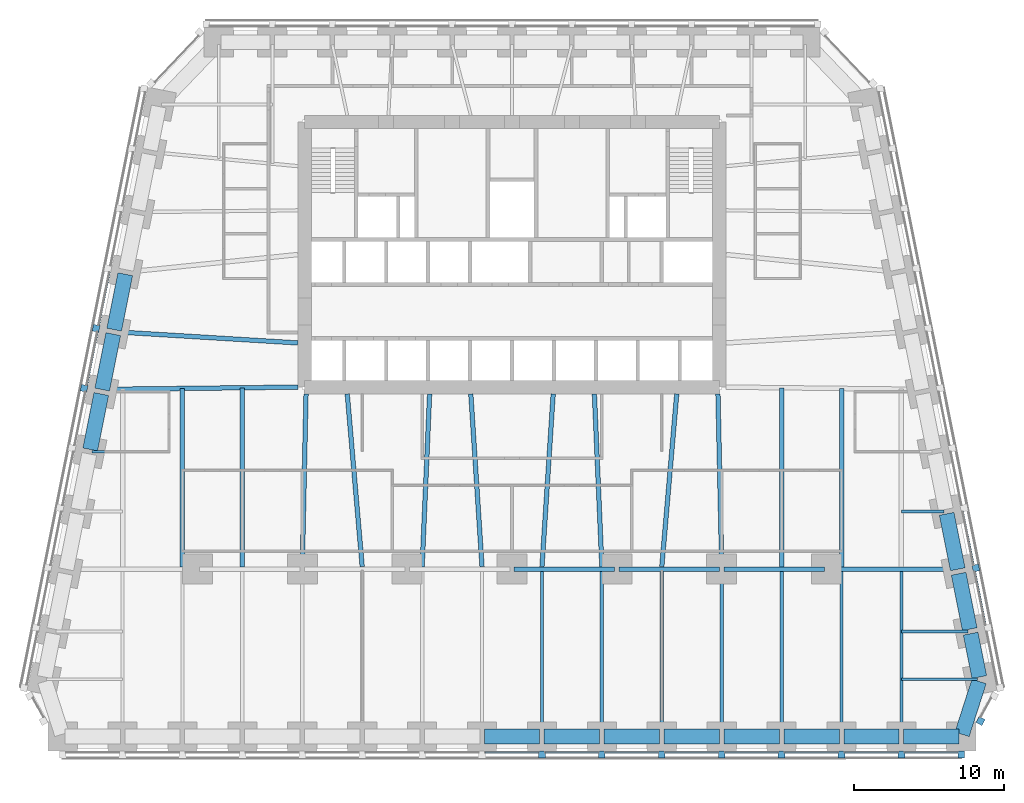
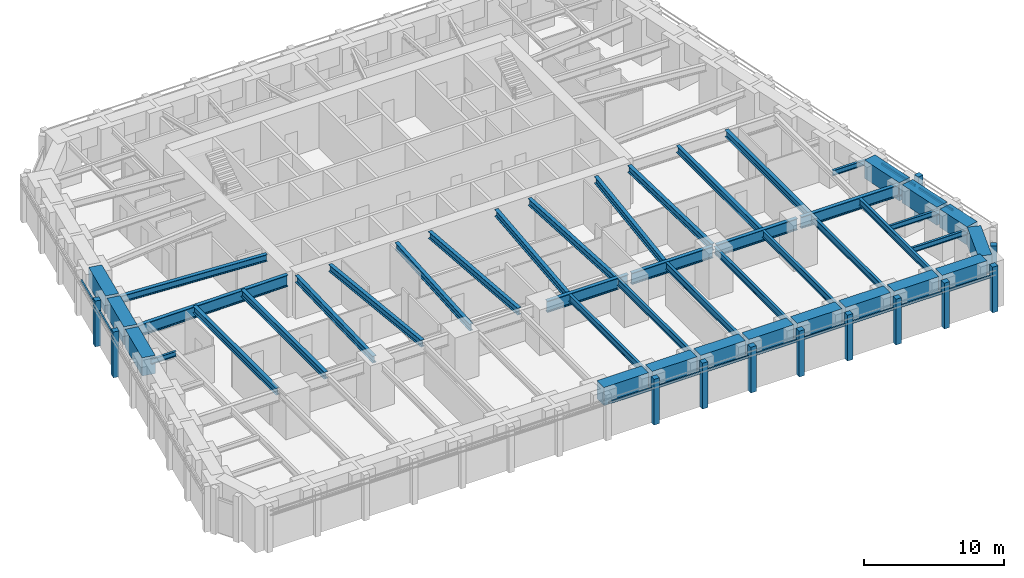
# One storey, part 2 of 10: 44 beams, 24 members, 4 elements without a shape of their own.
"""IFC4 building model written with IfcOpenShell, lengths in metres."""

from ifc_helpers import new_model, si_unit, direction, frame, origin, origin_2d, place, context, subcontext, project, spatial, rectangle, i_section, extrude, material, material_profile, profile_set, type_object, element, aggregate, save


model = new_model("IFC4")

# Units and contexts
model_context = context("Model", 3, precision=1e-05, world=origin(), true_north=direction((0.0, 1.0)))
body_context = subcontext(model_context, "Body", "Model", "MODEL_VIEW")
ifc_project = project(units=[si_unit("LENGTHUNIT", "METRE"), si_unit("AREAUNIT", "SQUARE_METRE"), si_unit("VOLUMEUNIT", "CUBIC_METRE"), si_unit("PLANEANGLEUNIT", "RADIAN"), si_unit("MASSUNIT", "GRAM", prefix="KILO")], contexts=[model_context])

# Site, building, storey
site_placement = place(None, origin())
site = spatial("IfcSite", under=ifc_project, at=site_placement, CompositionType="ELEMENT")
building_placement = place(site_placement, origin())
building = spatial("IfcBuilding", under=site, at=building_placement, Name="Isbrekke Arena Tower", CompositionType="ELEMENT")
storey_placement = place(building_placement, frame((0.0, 0.0, 72.0)))
storey = spatial("IfcBuildingStorey", under=building, at=storey_placement, Name="L15", CompositionType="ELEMENT", Elevation=72.0)

# Beams
ifc_material_1 = material(Name="Steel S355", Category="steel")
ifc_material_profile_1 = material_profile(ifc_material_1, i_section(OverallWidth=0.219970703125, OverallDepth=0.60009765625, WebThickness=0.011962890625, FlangeThickness=0.01904296875, FilletRadius=0.02392578125, at=origin_2d()), Name="IPE 600")
ifc_profile_set_1 = profile_set([ifc_material_profile_1], Name="Steel S355")
beam_type_1 = type_object("IfcBeamType", Name="B1 IPE 600", PredefinedType="BEAM", material=ifc_profile_set_1)
for number, where, z_axis, x_axis, name in (
    (1, (2.0, -17.02490234375, 3.550048828125), (0.0, 1.0, 0.0), (-1.0, 0.0, 0.0), "B1 beam S-S09 L15"),
    (2, (6.0, -17.02490234375, 3.550048828125), (0.0, 1.0, 0.0), (-1.0, 0.0, 0.0), "B1 beam S-S10 L15"),
    (3, (10.0, -17.02490234375, 3.550048828125), (0.0, 1.0, 0.0), (-1.0, 0.0, 0.0), "B1 beam S-S11 L15"),
):
    element("IfcBeam", number, at=place(storey_placement, frame(where, z_axis=z_axis, x_axis=x_axis)), inside=storey, type_object=beam_type_1, Name=name, PredefinedType="BEAM", context=body_context, shape_type="SweptSolid", body=[
        extrude(i_section(OverallWidth=0.219970703125, OverallDepth=0.60009765625, WebThickness=0.011962890625, FlangeThickness=0.01904296875, FilletRadius=0.02392578125, at=origin_2d()), origin(), (0.0, 0.0, 1.0), 10.8740234375),
    ])
beam_1_placement = place(storey_placement, frame((14.0, -17.02490234375, 3.550048828125), z_axis=(0.0, 1.0, 0.0), x_axis=(-1.0, 0.0, 0.0)))
element("IfcBeam", 4, at=beam_1_placement, inside=storey, type_object=beam_type_1, Name="B1 beam S-S12 L15", PredefinedType="BEAM", context=body_context, shape_type="SweptSolid", body=[
    extrude(i_section(OverallWidth=0.219970703125, OverallDepth=0.60009765625, WebThickness=0.011962890625, FlangeThickness=0.01904296875, FilletRadius=0.02392578125, at=origin_2d()), origin(), (0.0, 0.0, 1.0), 10.875),
])
for number, where, z_axis, x_axis, name in (
    (5, (18.0, -17.02490234375, 3.550048828125), (0.0, 1.0, 0.0), (-1.0, 0.0, 0.0), "B1 beam S-S13 L15"),
    (6, (22.0, -17.02490234375, 3.550048828125), (0.0, 1.0, 0.0), (-1.0, 0.0, 0.0), "B1 beam S-S14 L15"),
    (7, (26.0, -17.02490234375, 3.550048828125), (0.0, 1.0, 0.0), (-1.0, 0.0, 0.0), "B1 beam S-S15 L15"),
):
    element("IfcBeam", number, at=place(storey_placement, frame(where, z_axis=z_axis, x_axis=x_axis)), inside=storey, type_object=beam_type_1, Name=name, PredefinedType="BEAM", context=body_context, shape_type="SweptSolid", body=[
        extrude(i_section(OverallWidth=0.219970703125, OverallDepth=0.60009765625, WebThickness=0.011962890625, FlangeThickness=0.01904296875, FilletRadius=0.02392578125, at=origin_2d()), origin(), (0.0, 0.0, 1.0), 10.8740234375),
    ])
ifc_material_2 = material(Name="Steel S355", Category="steel")
ifc_material_profile_2 = material_profile(ifc_material_2, i_section(OverallWidth=0.18994140625, OverallDepth=0.449951171875, WebThickness=0.009521484375, FlangeThickness=0.0146484375, FilletRadius=0.02099609375, at=origin_2d()), Name="IPE 450")
ifc_profile_set_2 = profile_set([ifc_material_profile_2], Name="Steel S355")
beam_type_2 = type_object("IfcBeamType", Name="B2 IPE 450", PredefinedType="BEAM", material=ifc_profile_set_2)
beam_2_placement = place(storey_placement, frame((31.079345703125, -13.352783203125, 3.625), z_axis=(-1.0, 0.0, 0.0), x_axis=(0.0, -1.0, 0.0)))
element("IfcBeam", 8, at=beam_2_placement, inside=storey, type_object=beam_type_2, Name="B2 beam E-E01 L15", PredefinedType="BEAM", context=body_context, shape_type="SweptSolid", body=[
    extrude(i_section(OverallWidth=0.18994140625, OverallDepth=0.449951171875, WebThickness=0.009521484375, FlangeThickness=0.0146484375, FilletRadius=0.02099609375, at=origin_2d()), origin(), (0.0, 0.0, 1.0), 5.079345703125),
])
beam_3_placement = place(storey_placement, frame((30.44091796875, -10.161865234375, 3.625), z_axis=(-1.0, 0.0, 0.0), x_axis=(0.0, -1.0, 0.0)))
element("IfcBeam", 9, at=beam_3_placement, inside=storey, type_object=beam_type_2, Name="B2 beam E-E02 L15", PredefinedType="BEAM", context=body_context, shape_type="SweptSolid", body=[
    extrude(i_section(OverallWidth=0.18994140625, OverallDepth=0.449951171875, WebThickness=0.009521484375, FlangeThickness=0.0146484375, FilletRadius=0.02099609375, at=origin_2d()), origin(), (0.0, 0.0, 1.0), 4.44091796875),
])
beam_4_placement = place(storey_placement, frame((28.841064453125, -2.161865234375, 3.625), z_axis=(-1.0, 0.0, 0.0), x_axis=(0.0, -1.0, 0.0)))
element("IfcBeam", 10, at=beam_4_placement, inside=storey, type_object=beam_type_2, Name="B2 beam E-E04 L15", PredefinedType="BEAM", context=body_context, shape_type="SweptSolid", body=[
    extrude(i_section(OverallWidth=0.18994140625, OverallDepth=0.449951171875, WebThickness=0.009521484375, FlangeThickness=0.0146484375, FilletRadius=0.02099609375, at=origin_2d()), origin(), (0.0, 0.0, 1.0), 2.841064453125),
])
beam_5_placement = place(storey_placement, frame((-28.041015625, 1.838134765625, 3.625), z_axis=(1.0, 0.0, 0.0), x_axis=(0.0, 1.0, 0.0)))
element("IfcBeam", 11, at=beam_5_placement, inside=storey, type_object=beam_type_2, Name="B2 beam E-W07 L15", PredefinedType="BEAM", context=body_context, shape_type="SweptSolid", body=[
    extrude(i_section(OverallWidth=0.18994140625, OverallDepth=0.449951171875, WebThickness=0.009521484375, FlangeThickness=0.0146484375, FilletRadius=0.02099609375, at=origin_2d()), origin(), (0.0, 0.0, 1.0), 2.041015625),
])
ifc_material_3 = material(Name="Steel S355", Category="steel")
ifc_material_profile_3 = material_profile(ifc_material_3, i_section(OverallWidth=0.300048828125, OverallDepth=0.60009765625, WebThickness=0.015380859375, FlangeThickness=0.030029296875, FilletRadius=0.027099609375, at=origin_2d()), Name="HEB 600")
ifc_profile_set_3 = profile_set([ifc_material_profile_3], Name="Steel S355")
beam_type_3 = type_object("IfcBeamType", Name="B7 HEB 600", PredefinedType="BEAM", material=ifc_profile_set_3)
beam_6_placement = place(storey_placement, frame((-22.0, -5.84912109375, 3.550048828125), z_axis=(0.0, 1.0, 0.0), x_axis=(-1.0, 0.0, 0.0)))
element("IfcBeam", 12, at=beam_6_placement, inside=storey, type_object=beam_type_3, Name="B7 beam C-M02 L15", PredefinedType="BEAM", context=body_context, shape_type="SweptSolid", body=[
    extrude(i_section(OverallWidth=0.300048828125, OverallDepth=0.60009765625, WebThickness=0.015380859375, FlangeThickness=0.030029296875, FilletRadius=0.027099609375, at=origin_2d()), origin(), (0.0, 0.0, 1.0), 11.910888671875),
])
beam_7_placement = place(storey_placement, frame((-18.0, -5.84912109375, 3.550048828125), z_axis=(0.0, 1.0, 0.0), x_axis=(-1.0, 0.0, 0.0)))
element("IfcBeam", 13, at=beam_7_placement, inside=storey, type_object=beam_type_3, Name="B7 beam C-M03 L15", PredefinedType="BEAM", context=body_context, shape_type="SweptSolid", body=[
    extrude(i_section(OverallWidth=0.300048828125, OverallDepth=0.60009765625, WebThickness=0.015380859375, FlangeThickness=0.030029296875, FilletRadius=0.027099609375, at=origin_2d()), origin(), (0.0, 0.0, 1.0), 11.956787109375),
])
beam_8_placement = place(storey_placement, frame((-14.0, -5.8466796875, 3.550048828125), z_axis=(0.021646264273, 0.999765692171, 0.0), x_axis=(-0.999765692171, 0.021646264273, 0.0)))
element("IfcBeam", 14, at=beam_8_placement, inside=storey, type_object=beam_type_3, Name="B7 beam C-M04 L15", PredefinedType="BEAM", context=body_context, shape_type="SweptSolid", body=[
    extrude(i_section(OverallWidth=0.300048828125, OverallDepth=0.60009765625, WebThickness=0.015380859375, FlangeThickness=0.030029296875, FilletRadius=0.027099609375, at=origin_2d()), origin(), (0.0, 0.0, 1.0), 11.54931640625),
])
beam_9_placement = place(storey_placement, frame((-10.001220703125, -5.836181640625, 3.550048828125), z_axis=(-0.086255671377, 0.996273034442, 0.0), x_axis=(-0.996273034442, -0.086255671377, 0.0)))
element("IfcBeam", 15, at=beam_9_placement, inside=storey, type_object=beam_type_3, Name="B7 beam C-M05 L15", PredefinedType="BEAM", context=body_context, shape_type="SweptSolid", body=[
    extrude(i_section(OverallWidth=0.300048828125, OverallDepth=0.60009765625, WebThickness=0.015380859375, FlangeThickness=0.030029296875, FilletRadius=0.027099609375, at=origin_2d()), origin(), (0.0, 0.0, 1.0), 11.579345703125),
])
beam_10_placement = place(storey_placement, frame((-5.999755859375, -5.842529296875, 3.550048828125), z_axis=(0.04325656756, 0.99906399663, 0.0), x_axis=(-0.99906399663, 0.04325656756, 0.0)))
element("IfcBeam", 16, at=beam_10_placement, inside=storey, type_object=beam_type_3, Name="B7 beam C-M06 L15", PredefinedType="BEAM", context=body_context, shape_type="SweptSolid", body=[
    extrude(i_section(OverallWidth=0.300048828125, OverallDepth=0.60009765625, WebThickness=0.015380859375, FlangeThickness=0.030029296875, FilletRadius=0.027099609375, at=origin_2d()), origin(), (0.0, 0.0, 1.0), 11.55322265625),
])
for number, where, z_axis, x_axis, name in (
    (17, (-2.000732421875, -5.83935546875, 3.550048828125), (-0.064795318476, 0.997898575359, 0.0), (-0.997898575359, -0.064795318476, 0.0), "B7 beam C-M07 L15"),
    (18, (2.000732421875, -5.83935546875, 3.550048828125), (0.064795318476, 0.997898575359, 0.0), (-0.997898575359, 0.064795318476, 0.0), "B7 beam C-M08 L15"),
):
    element("IfcBeam", number, at=place(storey_placement, frame(where, z_axis=z_axis, x_axis=x_axis)), inside=storey, type_object=beam_type_3, Name=name, PredefinedType="BEAM", context=body_context, shape_type="SweptSolid", body=[
        extrude(i_section(OverallWidth=0.300048828125, OverallDepth=0.60009765625, WebThickness=0.015380859375, FlangeThickness=0.030029296875, FilletRadius=0.027099609375, at=origin_2d()), origin(), (0.0, 0.0, 1.0), 11.563720703125),
    ])
beam_11_placement = place(storey_placement, frame((5.999755859375, -5.842529296875, 3.550048828125), z_axis=(-0.04325656756, 0.99906399663, 0.0), x_axis=(-0.99906399663, -0.04325656756, 0.0)))
element("IfcBeam", 19, at=beam_11_placement, inside=storey, type_object=beam_type_3, Name="B7 beam C-M09 L15", PredefinedType="BEAM", context=body_context, shape_type="SweptSolid", body=[
    extrude(i_section(OverallWidth=0.300048828125, OverallDepth=0.60009765625, WebThickness=0.015380859375, FlangeThickness=0.030029296875, FilletRadius=0.027099609375, at=origin_2d()), origin(), (0.0, 0.0, 1.0), 11.55322265625),
])
beam_12_placement = place(storey_placement, frame((10.001220703125, -5.836181640625, 3.550048828125), z_axis=(0.086255671377, 0.996273034442, 0.0), x_axis=(-0.996273034442, 0.086255671377, 0.0)))
element("IfcBeam", 20, at=beam_12_placement, inside=storey, type_object=beam_type_3, Name="B7 beam C-M10 L15", PredefinedType="BEAM", context=body_context, shape_type="SweptSolid", body=[
    extrude(i_section(OverallWidth=0.300048828125, OverallDepth=0.60009765625, WebThickness=0.015380859375, FlangeThickness=0.030029296875, FilletRadius=0.027099609375, at=origin_2d()), origin(), (0.0, 0.0, 1.0), 11.579345703125),
])
beam_13_placement = place(storey_placement, frame((14.0, -5.8466796875, 3.550048828125), z_axis=(-0.021646264273, 0.999765692171, 0.0), x_axis=(-0.999765692171, -0.021646264273, 0.0)))
element("IfcBeam", 21, at=beam_13_placement, inside=storey, type_object=beam_type_3, Name="B7 beam C-M11 L15", PredefinedType="BEAM", context=body_context, shape_type="SweptSolid", body=[
    extrude(i_section(OverallWidth=0.300048828125, OverallDepth=0.60009765625, WebThickness=0.015380859375, FlangeThickness=0.030029296875, FilletRadius=0.027099609375, at=origin_2d()), origin(), (0.0, 0.0, 1.0), 11.54931640625),
])
beam_14_placement = place(storey_placement, frame((18.0, -5.84912109375, 3.550048828125), z_axis=(0.0, 1.0, 0.0), x_axis=(-1.0, 0.0, 0.0)))
element("IfcBeam", 22, at=beam_14_placement, inside=storey, type_object=beam_type_3, Name="B7 beam C-M12 L15", PredefinedType="BEAM", context=body_context, shape_type="SweptSolid", body=[
    extrude(i_section(OverallWidth=0.300048828125, OverallDepth=0.60009765625, WebThickness=0.015380859375, FlangeThickness=0.030029296875, FilletRadius=0.027099609375, at=origin_2d()), origin(), (0.0, 0.0, 1.0), 11.956787109375),
])
beam_15_placement = place(storey_placement, frame((22.0, -5.84912109375, 3.550048828125), z_axis=(0.0, 1.0, 0.0), x_axis=(-1.0, 0.0, 0.0)))
element("IfcBeam", 23, at=beam_15_placement, inside=storey, type_object=beam_type_3, Name="B7 beam C-M13 L15", PredefinedType="BEAM", context=body_context, shape_type="SweptSolid", body=[
    extrude(i_section(OverallWidth=0.300048828125, OverallDepth=0.60009765625, WebThickness=0.015380859375, FlangeThickness=0.030029296875, FilletRadius=0.027099609375, at=origin_2d()), origin(), (0.0, 0.0, 1.0), 11.910888671875),
])
beam_16_placement = place(storey_placement, frame((-26.431884765625, 9.837646484375, 3.550048828125), z_axis=(0.998157121592, -0.060682457223, 0.0), x_axis=(0.060682457223, 0.998157121592, 0.0)))
element("IfcBeam", 24, at=beam_16_placement, inside=storey, type_object=beam_type_3, Name="B7 beam E-W05 L15", PredefinedType="BEAM", context=body_context, shape_type="SweptSolid", body=[
    extrude(i_section(OverallWidth=0.300048828125, OverallDepth=0.60009765625, WebThickness=0.015380859375, FlangeThickness=0.030029296875, FilletRadius=0.027099609375, at=origin_2d()), origin(), (0.0, 0.0, 1.0), 12.154296875),
])

# Curtain wall, members
ifc_material_4 = material(Name="Glazed aluminium curtain wall", Category="aluminium")
curtain_wall_type = type_object("IfcCurtainWallType", Name="CWL TOWER CURTAIN WALL LOW ZONE", PredefinedType="USERDEFINED", material=ifc_material_4)
curtain_wall_1_placement = place(storey_placement, origin())
curtain_wall_1 = element("IfcCurtainWall", 25, at=curtain_wall_1_placement, inside=storey, type_object=curtain_wall_type, Name="CWL curtain wall L15-S", ObjectType="TOWER CURTAIN WALL LOW ZONE", PredefinedType="USERDEFINED")
ifc_material_5 = material(Name="Aluminium mullion, pale brick slip cladding", Category="masonry")
ifc_material_profile_4 = material_profile(ifc_material_5, rectangle(XDim=0.449951171875, YDim=0.449951171875, at=origin_2d()), Name="PIER 450X450")
ifc_profile_set_4 = profile_set([ifc_material_profile_4], Name="Aluminium mullion, pale brick slip cladding")
member_type_1 = type_object("IfcMemberType", Name="CWL-M PIER MULLION 450 x 450", PredefinedType="MULLION", material=ifc_profile_set_4)
member_1_placement = place(storey_placement, frame((2.0, -18.375, 0.0), z_axis=(0.0, 0.0, 1.0), x_axis=(1.0, 0.0, 0.0)))
member_1 = element("IfcMember", 26, at=member_1_placement, type_object=member_type_1, Name="CWL-M mullion 9", PredefinedType="MULLION", context=body_context, shape_type="SweptSolid", body=[
    extrude(rectangle(XDim=0.449951171875, YDim=0.449951171875, at=origin_2d()), origin(), (0.0, 0.0, 1.0), 4.0),
])
member_2_placement = place(storey_placement, frame((6.0, -18.375, 0.0), z_axis=(0.0, 0.0, 1.0), x_axis=(1.0, 0.0, 0.0)))
member_2 = element("IfcMember", 27, at=member_2_placement, type_object=member_type_1, Name="CWL-M mullion 10", PredefinedType="MULLION", context=body_context, shape_type="SweptSolid", body=[
    extrude(rectangle(XDim=0.449951171875, YDim=0.449951171875, at=origin_2d()), origin(), (0.0, 0.0, 1.0), 4.0),
])
member_3_placement = place(storey_placement, frame((10.0, -18.375, 0.0), z_axis=(0.0, 0.0, 1.0), x_axis=(1.0, 0.0, 0.0)))
member_3 = element("IfcMember", 28, at=member_3_placement, type_object=member_type_1, Name="CWL-M mullion 11", PredefinedType="MULLION", context=body_context, shape_type="SweptSolid", body=[
    extrude(rectangle(XDim=0.449951171875, YDim=0.449951171875, at=origin_2d()), origin(), (0.0, 0.0, 1.0), 4.0),
])
member_4_placement = place(storey_placement, frame((14.0, -18.375, 0.0), z_axis=(0.0, 0.0, 1.0), x_axis=(1.0, 0.0, 0.0)))
member_4 = element("IfcMember", 29, at=member_4_placement, type_object=member_type_1, Name="CWL-M mullion 12", PredefinedType="MULLION", context=body_context, shape_type="SweptSolid", body=[
    extrude(rectangle(XDim=0.449951171875, YDim=0.449951171875, at=origin_2d()), origin(), (0.0, 0.0, 1.0), 4.0),
])
member_5_placement = place(storey_placement, frame((18.0, -18.375, 0.0), z_axis=(0.0, 0.0, 1.0), x_axis=(1.0, 0.0, 0.0)))
member_5 = element("IfcMember", 30, at=member_5_placement, type_object=member_type_1, Name="CWL-M mullion 13", PredefinedType="MULLION", context=body_context, shape_type="SweptSolid", body=[
    extrude(rectangle(XDim=0.449951171875, YDim=0.449951171875, at=origin_2d()), origin(), (0.0, 0.0, 1.0), 4.0),
])
member_6_placement = place(storey_placement, frame((22.0, -18.375, 0.0), z_axis=(0.0, 0.0, 1.0), x_axis=(1.0, 0.0, 0.0)))
member_6 = element("IfcMember", 31, at=member_6_placement, type_object=member_type_1, Name="CWL-M mullion 14", PredefinedType="MULLION", context=body_context, shape_type="SweptSolid", body=[
    extrude(rectangle(XDim=0.449951171875, YDim=0.449951171875, at=origin_2d()), origin(), (0.0, 0.0, 1.0), 4.0),
])
member_7_placement = place(storey_placement, frame((26.0, -18.375, 0.0), z_axis=(0.0, 0.0, 1.0), x_axis=(1.0, 0.0, 0.0)))
member_7 = element("IfcMember", 32, at=member_7_placement, type_object=member_type_1, Name="CWL-M mullion 15", PredefinedType="MULLION", context=body_context, shape_type="SweptSolid", body=[
    extrude(rectangle(XDim=0.449951171875, YDim=0.449951171875, at=origin_2d()), origin(), (0.0, 0.0, 1.0), 4.0),
])
member_8_placement = place(storey_placement, frame((30.0, -18.375, 0.0), z_axis=(0.0, 0.0, 1.0), x_axis=(1.0, 0.0, 0.0)))
member_8 = element("IfcMember", 33, at=member_8_placement, type_object=member_type_1, Name="CWL-M mullion 16", PredefinedType="MULLION", context=body_context, shape_type="SweptSolid", body=[
    extrude(rectangle(XDim=0.449951171875, YDim=0.449951171875, at=origin_2d()), origin(), (0.0, 0.0, 1.0), 4.0),
])

# Curtain wall, member
curtain_wall_2_placement = place(storey_placement, origin())
curtain_wall_2 = element("IfcCurtainWall", 34, at=curtain_wall_2_placement, inside=storey, type_object=curtain_wall_type, Name="CWL curtain wall L15-SE", ObjectType="TOWER CURTAIN WALL LOW ZONE", PredefinedType="USERDEFINED")
member_9_placement = place(storey_placement, frame((31.2783203125, -16.142822265625, 0.0), z_axis=(0.0, 0.0, 1.0), x_axis=(0.481918749773, 0.876215908676, 0.0)))
member_9 = element("IfcMember", 35, at=member_9_placement, type_object=member_type_1, Name="CWL-M mullion 1", PredefinedType="MULLION", context=body_context, shape_type="SweptSolid", body=[
    extrude(rectangle(XDim=0.449951171875, YDim=0.449951171875, at=origin_2d()), origin(), (0.0, 0.0, 1.0), 4.0),
])
aggregate(curtain_wall_2, [member_9])

curtain_wall_3_placement = place(storey_placement, origin())
curtain_wall_3 = element("IfcCurtainWall", 36, at=curtain_wall_3_placement, inside=storey, type_object=curtain_wall_type, Name="CWL curtain wall L15-E", ObjectType="TOWER CURTAIN WALL LOW ZONE", PredefinedType="USERDEFINED")
member_10_placement = place(storey_placement, frame((30.9677734375, -5.926513671875, 0.0), z_axis=(0.0, 0.0, 1.0), x_axis=(-0.196116135138, 0.980580675691, 0.0)))
member_10 = element("IfcMember", 37, at=member_10_placement, type_object=member_type_1, Name="CWL-M mullion 3", PredefinedType="MULLION", context=body_context, shape_type="SweptSolid", body=[
    extrude(rectangle(XDim=0.449951171875, YDim=0.449951171875, at=origin_2d()), origin(), (0.0, 0.0, 1.0), 4.0),
])

# Curtain wall, members
curtain_wall_4_placement = place(storey_placement, origin())
curtain_wall_4 = element("IfcCurtainWall", 38, at=curtain_wall_4_placement, inside=storey, type_object=curtain_wall_type, Name="CWL curtain wall L15-W", ObjectType="TOWER CURTAIN WALL LOW ZONE", PredefinedType="USERDEFINED")
member_11_placement = place(storey_placement, frame((-27.767822265625, 10.073486328125, 0.0), z_axis=(0.0, 0.0, 1.0), x_axis=(-0.196116135138, -0.980580675691, 0.0)))
member_11 = element("IfcMember", 39, at=member_11_placement, type_object=member_type_1, Name="CWL-M mullion 5", PredefinedType="MULLION", context=body_context, shape_type="SweptSolid", body=[
    extrude(rectangle(XDim=0.449951171875, YDim=0.449951171875, at=origin_2d()), origin(), (0.0, 0.0, 1.0), 4.0),
])
member_12_placement = place(storey_placement, frame((-28.567626953125, 6.073486328125, 0.0), z_axis=(0.0, 0.0, 1.0), x_axis=(-0.196116135138, -0.980580675691, 0.0)))
member_12 = element("IfcMember", 40, at=member_12_placement, type_object=member_type_1, Name="CWL-M mullion 6", PredefinedType="MULLION", context=body_context, shape_type="SweptSolid", body=[
    extrude(rectangle(XDim=0.449951171875, YDim=0.449951171875, at=origin_2d()), origin(), (0.0, 0.0, 1.0), 4.0),
])

# Member
ifc_material_6 = material(Name="Aluminium transom", Category="aluminium")
ifc_material_profile_5 = material_profile(ifc_material_6, rectangle(XDim=0.1201171875, YDim=0.199951171875, at=origin_2d()), Name="TRANSOM 120X200")
ifc_profile_set_5 = profile_set([ifc_material_profile_5], Name="Aluminium transom")
member_type_2 = type_object("IfcMemberType", Name="CWL-T TRANSOM 120 x 200", PredefinedType="USERDEFINED", material=ifc_profile_set_5)
member_13_placement = place(storey_placement, frame((-1.77490234375, -18.25, 3.0), z_axis=(1.0, 0.0, 0.0), x_axis=(0.0, 1.0, 0.0)))
member_13 = element("IfcMember", 41, at=member_13_placement, type_object=member_type_2, Name="CWL-T transom 8", ObjectType="TRANSOM", PredefinedType="USERDEFINED", context=body_context, shape_type="SweptSolid", body=[
    extrude(rectangle(XDim=0.1201171875, YDim=0.199951171875, at=origin_2d()), origin(), (0.0, 0.0, 1.0), 3.5498046875),
])

member_14_placement = place(storey_placement, frame((2.22509765625, -18.25, 3.0), z_axis=(1.0, 0.0, 0.0), x_axis=(0.0, 1.0, 0.0)))
member_14 = element("IfcMember", 42, at=member_14_placement, type_object=member_type_2, Name="CWL-T transom 9", ObjectType="TRANSOM", PredefinedType="USERDEFINED", context=body_context, shape_type="SweptSolid", body=[
    extrude(rectangle(XDim=0.1201171875, YDim=0.199951171875, at=origin_2d()), origin(), (0.0, 0.0, 1.0), 3.5498046875),
])

member_15_placement = place(storey_placement, frame((6.22509765625, -18.25, 3.0), z_axis=(1.0, 0.0, 0.0), x_axis=(0.0, 1.0, 0.0)))
member_15 = element("IfcMember", 43, at=member_15_placement, type_object=member_type_2, Name="CWL-T transom 10", ObjectType="TRANSOM", PredefinedType="USERDEFINED", context=body_context, shape_type="SweptSolid", body=[
    extrude(rectangle(XDim=0.1201171875, YDim=0.199951171875, at=origin_2d()), origin(), (0.0, 0.0, 1.0), 3.5498046875),
])

member_16_placement = place(storey_placement, frame((10.22509765625, -18.25, 3.0), z_axis=(1.0, 0.0, 0.0), x_axis=(0.0, 1.0, 0.0)))
member_16 = element("IfcMember", 44, at=member_16_placement, type_object=member_type_2, Name="CWL-T transom 11", ObjectType="TRANSOM", PredefinedType="USERDEFINED", context=body_context, shape_type="SweptSolid", body=[
    extrude(rectangle(XDim=0.1201171875, YDim=0.199951171875, at=origin_2d()), origin(), (0.0, 0.0, 1.0), 3.5498046875),
])

member_17_placement = place(storey_placement, frame((14.22509765625, -18.25, 3.0), z_axis=(1.0, 0.0, 0.0), x_axis=(0.0, 1.0, 0.0)))
member_17 = element("IfcMember", 45, at=member_17_placement, type_object=member_type_2, Name="CWL-T transom 12", ObjectType="TRANSOM", PredefinedType="USERDEFINED", context=body_context, shape_type="SweptSolid", body=[
    extrude(rectangle(XDim=0.1201171875, YDim=0.199951171875, at=origin_2d()), origin(), (0.0, 0.0, 1.0), 3.5498046875),
])

member_18_placement = place(storey_placement, frame((18.22509765625, -18.25, 3.0), z_axis=(1.0, 0.0, 0.0), x_axis=(0.0, 1.0, 0.0)))
member_18 = element("IfcMember", 46, at=member_18_placement, type_object=member_type_2, Name="CWL-T transom 13", ObjectType="TRANSOM", PredefinedType="USERDEFINED", context=body_context, shape_type="SweptSolid", body=[
    extrude(rectangle(XDim=0.1201171875, YDim=0.199951171875, at=origin_2d()), origin(), (0.0, 0.0, 1.0), 3.5498046875),
])

member_19_placement = place(storey_placement, frame((22.22509765625, -18.25, 3.0), z_axis=(1.0, 0.0, 0.0), x_axis=(0.0, 1.0, 0.0)))
member_19 = element("IfcMember", 47, at=member_19_placement, type_object=member_type_2, Name="CWL-T transom 14", ObjectType="TRANSOM", PredefinedType="USERDEFINED", context=body_context, shape_type="SweptSolid", body=[
    extrude(rectangle(XDim=0.1201171875, YDim=0.199951171875, at=origin_2d()), origin(), (0.0, 0.0, 1.0), 3.5498046875),
])

member_20_placement = place(storey_placement, frame((26.22509765625, -18.25, 3.0), z_axis=(1.0, 0.0, 0.0), x_axis=(0.0, 1.0, 0.0)))
member_20 = element("IfcMember", 48, at=member_20_placement, type_object=member_type_2, Name="CWL-T transom 15", ObjectType="TRANSOM", PredefinedType="USERDEFINED", context=body_context, shape_type="SweptSolid", body=[
    extrude(rectangle(XDim=0.1201171875, YDim=0.199951171875, at=origin_2d()), origin(), (0.0, 0.0, 1.0), 3.5498046875),
])

aggregate(curtain_wall_1, [member_1, member_2, member_3, member_4, member_5, member_6, member_7, member_8, member_13, member_14, member_15, member_16, member_17, member_18, member_19, member_20])

member_21_placement = place(storey_placement, frame((31.60107421875, -9.730224609375, 3.0), z_axis=(-0.196167883278, 0.980570324643, 0.0), x_axis=(-0.980570324643, -0.196167883278, 0.0)))
member_21 = element("IfcMember", 49, at=member_21_placement, type_object=member_type_2, Name="CWL-T transom 2", ObjectType="TRANSOM", PredefinedType="USERDEFINED", context=body_context, shape_type="SweptSolid", body=[
    extrude(rectangle(XDim=0.1201171875, YDim=0.199951171875, at=origin_2d()), origin(), (0.0, 0.0, 1.0), 3.629150390625),
])

member_22_placement = place(storey_placement, frame((30.801025390625, -5.730224609375, 3.0), z_axis=(-0.196103197847, 0.98058326306, 0.0), x_axis=(-0.98058326306, -0.196103197847, 0.0)))
member_22 = element("IfcMember", 50, at=member_22_placement, type_object=member_type_2, Name="CWL-T transom 3", ObjectType="TRANSOM", PredefinedType="USERDEFINED", context=body_context, shape_type="SweptSolid", body=[
    extrude(rectangle(XDim=0.1201171875, YDim=0.199951171875, at=origin_2d()), origin(), (0.0, 0.0, 1.0), 3.629150390625),
])

aggregate(curtain_wall_3, [member_10, member_21, member_22])

member_23_placement = place(storey_placement, frame((-26.88916015625, 13.828369140625, 3.0), z_axis=(-0.196167883278, -0.980570324643, 0.0), x_axis=(0.980570324643, -0.196167883278, 0.0)))
member_23 = element("IfcMember", 51, at=member_23_placement, type_object=member_type_2, Name="CWL-T transom 4", ObjectType="TRANSOM", PredefinedType="USERDEFINED", context=body_context, shape_type="SweptSolid", body=[
    extrude(rectangle(XDim=0.1201171875, YDim=0.199951171875, at=origin_2d()), origin(), (0.0, 0.0, 1.0), 3.629150390625),
])

member_24_placement = place(storey_placement, frame((-27.689208984375, 9.828369140625, 3.0), z_axis=(-0.196167883278, -0.980570324643, 0.0), x_axis=(0.980570324643, -0.196167883278, 0.0)))
member_24 = element("IfcMember", 52, at=member_24_placement, type_object=member_type_2, Name="CWL-T transom 5", ObjectType="TRANSOM", PredefinedType="USERDEFINED", context=body_context, shape_type="SweptSolid", body=[
    extrude(rectangle(XDim=0.1201171875, YDim=0.199951171875, at=origin_2d()), origin(), (0.0, 0.0, 1.0), 3.629150390625),
])

aggregate(curtain_wall_4, [member_11, member_12, member_23, member_24])

# Beams
ifc_material_7 = material(Name="Steel S355", Category="steel")
ifc_material_profile_6 = material_profile(ifc_material_7, i_section(OverallWidth=0.302001953125, OverallDepth=1.008056640625, WebThickness=0.02099609375, FlangeThickness=0.0400390625, FilletRadius=0.030029296875, at=origin_2d()), Name="HEM 1000")
ifc_profile_set_6 = profile_set([ifc_material_profile_6], Name="Steel S355")
beam_type_4 = type_object("IfcBeamType", Name="G1 HEM 1000", PredefinedType="BEAM", material=ifc_profile_set_6)
for number, where, z_axis, x_axis, name in (
    (53, (0.14990234375, -6.0, 3.345947265625), (1.0, 0.0, 0.0), (0.0, 1.0, 0.0), "G1 beam G1-05 L15"),
    (54, (7.14990234375, -6.0, 3.345947265625), (1.0, 0.0, 0.0), (0.0, 1.0, 0.0), "G1 beam G1-06 L15"),
    (55, (14.14990234375, -6.0, 3.345947265625), (1.0, 0.0, 0.0), (0.0, 1.0, 0.0), "G1 beam G1-07 L15"),
):
    element("IfcBeam", number, at=place(storey_placement, frame(where, z_axis=z_axis, x_axis=x_axis)), inside=storey, type_object=beam_type_4, Name=name, PredefinedType="BEAM", context=body_context, shape_type="SweptSolid", body=[
        extrude(i_section(OverallWidth=0.302001953125, OverallDepth=1.008056640625, WebThickness=0.02099609375, FlangeThickness=0.0400390625, FilletRadius=0.030029296875, at=origin_2d()), origin(), (0.0, 0.0, 1.0), 6.7001953125),
    ])
beam_17_placement = place(storey_placement, frame((21.14990234375, -6.0, 3.345947265625), z_axis=(1.0, 0.0, 0.0), x_axis=(0.0, 1.0, 0.0)))
element("IfcBeam", 56, at=beam_17_placement, inside=storey, type_object=beam_type_4, Name="G1 beam G1-08 L15", PredefinedType="BEAM", context=body_context, shape_type="SweptSolid", body=[
    extrude(i_section(OverallWidth=0.302001953125, OverallDepth=1.008056640625, WebThickness=0.02099609375, FlangeThickness=0.0400390625, FilletRadius=0.030029296875, at=origin_2d()), origin(), (0.0, 0.0, 1.0), 8.64111328125),
])
ifc_material_8 = material(Name="Steel S355", Category="steel")
ifc_material_profile_7 = material_profile(ifc_material_8, i_section(OverallWidth=0.302001953125, OverallDepth=1.008056640625, WebThickness=0.02099609375, FlangeThickness=0.0400390625, FilletRadius=0.030029296875, at=origin_2d()), Name="HEM 1000")
ifc_profile_set_7 = profile_set([ifc_material_profile_7], Name="Steel S355")
beam_type_5 = type_object("IfcBeamType", Name="G2 HEM 1000", PredefinedType="BEAM", material=ifc_profile_set_7)
beam_18_placement = place(storey_placement, frame((-14.300048828125, 6.14990234375, 3.345947265625), z_axis=(-0.999934429634, -0.011451481699, 0.0), x_axis=(0.011451481699, -0.999934429634, 0.0)))
element("IfcBeam", 57, at=beam_18_placement, inside=storey, type_object=beam_type_5, Name="G2 beam G2-W L15", PredefinedType="BEAM", context=body_context, shape_type="SweptSolid", body=[
    extrude(i_section(OverallWidth=0.302001953125, OverallDepth=1.008056640625, WebThickness=0.02099609375, FlangeThickness=0.0400390625, FilletRadius=0.030029296875, at=origin_2d()), origin(), (0.0, 0.0, 1.0), 13.09033203125),
])
ifc_material_9 = material(Name="Concrete B90 (C90/105)", Category="concrete")
ifc_material_profile_8 = material_profile(ifc_material_9, rectangle(XDim=1.0, YDim=1.60009765625, at=origin_2d()), Name="RC 1000x1600")
ifc_profile_set_8 = profile_set([ifc_material_profile_8], Name="Concrete B90 (C90/105)")
beam_type_6 = type_object("IfcBeamType", Name="SB1 RC 1000 x 1600", PredefinedType="SPANDREL", material=ifc_profile_set_8)
for number, where, z_axis, x_axis, name in (
    (58, (-1.85009765625, -17.175048828125, 3.199951171875), (1.0, 0.0, 0.0), (0.0, 1.0, 0.0), "SB1 spandrel S08-S09 L15"),
    (59, (2.14990234375, -17.175048828125, 3.199951171875), (1.0, 0.0, 0.0), (0.0, 1.0, 0.0), "SB1 spandrel S09-S10 L15"),
    (60, (6.14990234375, -17.175048828125, 3.199951171875), (1.0, 0.0, 0.0), (0.0, 1.0, 0.0), "SB1 spandrel S10-S11 L15"),
    (61, (10.14990234375, -17.175048828125, 3.199951171875), (1.0, 0.0, 0.0), (0.0, 1.0, 0.0), "SB1 spandrel S11-S12 L15"),
    (62, (14.14990234375, -17.175048828125, 3.199951171875), (1.0, 0.0, 0.0), (0.0, 1.0, 0.0), "SB1 spandrel S12-S13 L15"),
    (63, (18.14990234375, -17.175048828125, 3.199951171875), (1.0, 0.0, 0.0), (0.0, 1.0, 0.0), "SB1 spandrel S13-S14 L15"),
    (64, (22.14990234375, -17.175048828125, 3.199951171875), (1.0, 0.0, 0.0), (0.0, 1.0, 0.0), "SB1 spandrel S14-S15 L15"),
    (65, (26.14990234375, -17.175048828125, 3.199951171875), (1.0, 0.0, 0.0), (0.0, 1.0, 0.0), "SB1 spandrel S15-S16 L15"),
):
    element("IfcBeam", number, at=place(storey_placement, frame(where, z_axis=z_axis, x_axis=x_axis)), inside=storey, type_object=beam_type_6, Name=name, PredefinedType="SPANDREL", context=body_context, shape_type="SweptSolid", body=[
        extrude(rectangle(XDim=1.0, YDim=1.60009765625, at=origin_2d()), origin(), (0.0, 0.0, 1.0), 3.7001953125),
    ])
beam_19_placement = place(storey_placement, frame((30.0458984375, -17.0322265625, 3.199951171875), z_axis=(0.306175101476, 0.951975213562, 0.0), x_axis=(-0.951975213562, 0.306175101476, 0.0)))
element("IfcBeam", 66, at=beam_19_placement, inside=storey, type_object=beam_type_6, Name="SB1 spandrel S16-E01 L15", PredefinedType="SPANDREL", context=body_context, shape_type="SweptSolid", body=[
    extrude(rectangle(XDim=1.0, YDim=1.60009765625, at=origin_2d()), origin(), (0.0, 0.0, 1.0), 3.715087890625),
])
beam_20_placement = place(storey_placement, frame((31.19970703125, -13.205810546875, 3.199951171875), z_axis=(-0.196100243168, 0.980583853951, 0.0), x_axis=(-0.980583853951, -0.196100243168, 0.0)))
element("IfcBeam", 67, at=beam_20_placement, inside=storey, type_object=beam_type_6, Name="SB1 spandrel E01-E02 L15", PredefinedType="SPANDREL", context=body_context, shape_type="SweptSolid", body=[
    extrude(rectangle(XDim=1.0, YDim=1.60009765625, at=origin_2d()), origin(), (0.0, 0.0, 1.0), 2.954345703125),
])
beam_21_placement = place(storey_placement, frame((30.5615234375, -10.0146484375, 3.199951171875), z_axis=(-0.1960664412, 0.980590613169, 0.0), x_axis=(-0.980590613169, -0.1960664412, 0.0)))
element("IfcBeam", 68, at=beam_21_placement, inside=storey, type_object=beam_type_6, Name="SB1 spandrel E02-E03 L15", PredefinedType="SPANDREL", context=body_context, shape_type="SweptSolid", body=[
    extrude(rectangle(XDim=1.0, YDim=1.60009765625, at=origin_2d()), origin(), (0.0, 0.0, 1.0), 3.779052734375),
])
beam_22_placement = place(storey_placement, frame((29.76171875, -6.0146484375, 3.199951171875), z_axis=(-0.196128558387, 0.980578190959, 0.0), x_axis=(-0.980578190959, -0.196128558387, 0.0)))
element("IfcBeam", 69, at=beam_22_placement, inside=storey, type_object=beam_type_6, Name="SB1 spandrel E03-E04 L15", PredefinedType="SPANDREL", context=body_context, shape_type="SweptSolid", body=[
    extrude(rectangle(XDim=1.0, YDim=1.60009765625, at=origin_2d()), origin(), (0.0, 0.0, 1.0), 3.779296875),
])
beam_23_placement = place(storey_placement, frame((-25.820556640625, 13.691162109375, 3.199951171875), z_axis=(-0.1960664412, -0.980590613169, 0.0), x_axis=(0.980590613169, -0.1960664412, 0.0)))
element("IfcBeam", 70, at=beam_23_placement, inside=storey, type_object=beam_type_6, Name="SB1 spandrel W04-W05 L15", PredefinedType="SPANDREL", context=body_context, shape_type="SweptSolid", body=[
    extrude(rectangle(XDim=1.0, YDim=1.60009765625, at=origin_2d()), origin(), (0.0, 0.0, 1.0), 3.779052734375),
])
for number, where, z_axis, x_axis, name in (
    (71, (-26.620361328125, 9.691162109375, 3.199951171875), (-0.196128558387, -0.980578190959, 0.0), (0.980578190959, -0.196128558387, 0.0), "SB1 spandrel W05-W06 L15"),
    (72, (-27.42041015625, 5.691162109375, 3.199951171875), (-0.196128558387, -0.980578190959, 0.0), (0.980578190959, -0.196128558387, 0.0), "SB1 spandrel W06-W07 L15"),
):
    element("IfcBeam", number, at=place(storey_placement, frame(where, z_axis=z_axis, x_axis=x_axis)), inside=storey, type_object=beam_type_6, Name=name, PredefinedType="SPANDREL", context=body_context, shape_type="SweptSolid", body=[
        extrude(rectangle(XDim=1.0, YDim=1.60009765625, at=origin_2d()), origin(), (0.0, 0.0, 1.0), 3.779296875),
    ])

save(model, "model.ifc")
